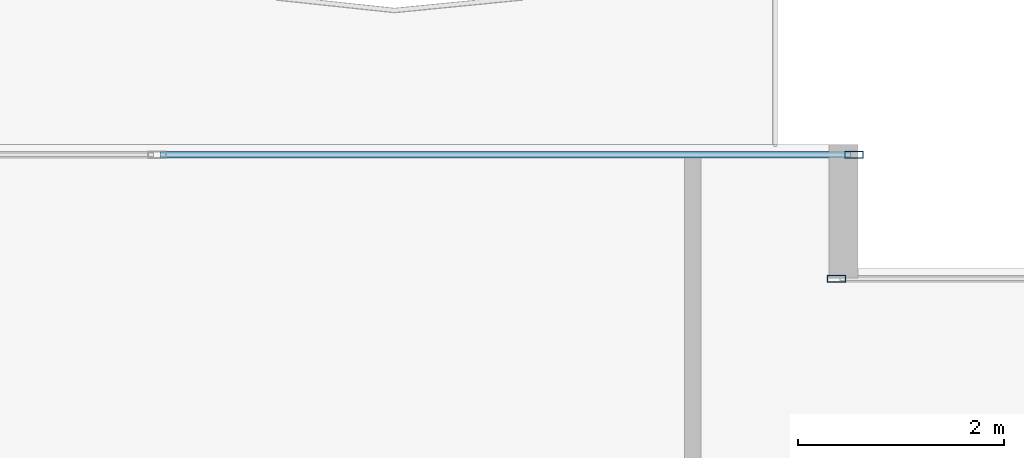
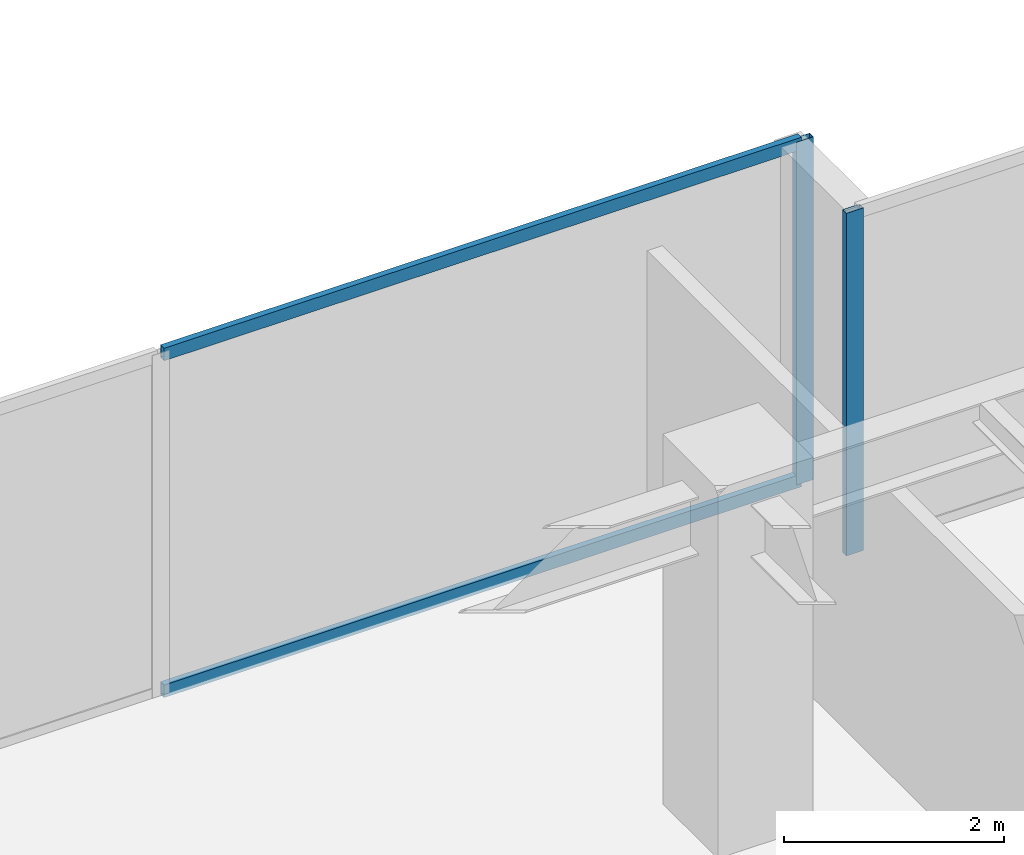
# One storey, part 17 of 34: 4 members, 2 elements without a shape of their own.
"""IFC4 building model written with IfcOpenShell, lengths in metres."""

from ifc_helpers import new_model, si_unit, direction, frame, origin, origin_2d, place, context, subcontext, project, spatial, hollow_rectangle, extrude, source, transform, mapped, material, layer, layer_set, material_profile, profile_set, type_object, type_shapes, element, aggregate, save


model = new_model("IFC4")

# Units and contexts
model_context = context("Model", 3, precision=1e-05, world=origin(), true_north=direction((0.0, 1.0)))
body_context = subcontext(model_context, "Body", "Model", "MODEL_VIEW")
ifc_project = project(units=[si_unit("LENGTHUNIT", "METRE"), si_unit("AREAUNIT", "SQUARE_METRE"), si_unit("VOLUMEUNIT", "CUBIC_METRE"), si_unit("PLANEANGLEUNIT", "RADIAN"), si_unit("MASSUNIT", "GRAM", prefix="KILO")], contexts=[model_context])

# Site, building, storey
site_placement = place(None, origin())
site = spatial("IfcSite", under=ifc_project, at=site_placement, CompositionType="ELEMENT")
building_placement = place(site_placement, origin())
building = spatial("IfcBuilding", under=site, at=building_placement, Name="Haelvirn Gate Laboratories", CompositionType="ELEMENT")
storey_placement = place(building_placement, frame((0.0, 0.0, 205.5)))
storey = spatial("IfcBuildingStorey", under=building, at=storey_placement, Name="L49", CompositionType="ELEMENT", Elevation=205.5)

# Curtain wall, member
ifc_material_1 = material(Name="Anodised bronze unitised aluminium & triple low-E glass", Category="aluminium")
ifc_layer = layer(ifc_material_1, 0.176025390625, Name="CW-SYS-4")
ifc_layer_set = layer_set([ifc_layer], Name="Anodised bronze unitised aluminium & triple low-E glass")
curtain_wall_type = type_object("IfcCurtainWallType", Name="CW-SYS-4", PredefinedType="NOTDEFINED", material=ifc_layer_set)
curtain_wall_1_placement = place(storey_placement, origin())
curtain_wall_1 = element("IfcCurtainWall", 1, at=curtain_wall_1_placement, inside=storey, type_object=curtain_wall_type, Name="L49 Unitised Curtain Wall CW-L49-P0-E12-1", PredefinedType="NOTDEFINED")
ifc_material_2 = material(Name="Extruded aluminium 6063-T6 (anodised bronze)", Category="aluminium")
ifc_material_profile_1 = material_profile(ifc_material_2, hollow_rectangle(XDim=0.070068359375, YDim=0.179931640625, WallThickness=0.0048828125, at=origin_2d()), Name="CWM-180x70x5")
ifc_profile_set_1 = profile_set([ifc_material_profile_1], Name="Extruded aluminium 6063-T6 (anodised bronze)")
member_type_1 = type_object("IfcMemberType", Name="CWM-T180", PredefinedType="MULLION", material=ifc_profile_set_1)
shared_shape_1 = source(origin(), body_context, "Body", "SweptSolid", [
    extrude(hollow_rectangle(XDim=0.070068359375, YDim=0.179931640625, WallThickness=0.0048828125, at=origin_2d()), origin(), (0.0, 0.0, 1.0), 3.800048828125),
])
type_shapes(member_type_1, [shared_shape_1])
member_1_placement = place(storey_placement, frame((25.195068359375, 44.699951171875, 0.0), z_axis=(0.0, 0.0, 1.0), x_axis=(0.0, 1.0, 0.0)))
member_1 = element("IfcMember", 2, at=member_1_placement, type_object=member_type_1, Name="CW4 mullion 1", PredefinedType="MULLION", context=body_context, shape_type="MappedRepresentation", body=[
    mapped(shared_shape_1, transform((0.0, 0.0, 0.0), scale=1.0)),
])
aggregate(curtain_wall_1, [member_1])

# Curtain wall, members
curtain_wall_2_placement = place(storey_placement, origin())
curtain_wall_2 = element("IfcCurtainWall", 3, at=curtain_wall_2_placement, inside=storey, type_object=curtain_wall_type, Name="L49 Unitised Curtain Wall CW-L49-P0-E14-2", PredefinedType="NOTDEFINED")
member_2_placement = place(storey_placement, frame((25.364990234375, 45.89990234375, 0.0), z_axis=(0.0, 0.0, 1.0), x_axis=(0.0, 1.0, 0.0)))
member_2 = element("IfcMember", 4, at=member_2_placement, type_object=member_type_1, Name="CW4 mullion 3", PredefinedType="MULLION", context=body_context, shape_type="MappedRepresentation", body=[
    mapped(shared_shape_1, transform((0.0, 0.0, 0.0), scale=1.0)),
])
ifc_material_profile_2 = material_profile(ifc_material_2, hollow_rectangle(XDim=0.06494140625, YDim=0.139892578125, WallThickness=0.00390625, at=origin_2d()), Name="CWT-140x65x4")
ifc_profile_set_2 = profile_set([ifc_material_profile_2], Name="Extruded aluminium 6063-T6 (anodised bronze)")
member_type_2 = type_object("IfcMemberType", Name="CWT-T140", PredefinedType="USERDEFINED", material=ifc_profile_set_2)
shared_shape_2 = source(origin(), body_context, "Body", "SweptSolid", [
    extrude(hollow_rectangle(XDim=0.06494140625, YDim=0.139892578125, WallThickness=0.00390625, at=origin_2d()), origin(), (0.0, 0.0, 1.0), 6.68505859375),
])
type_shapes(member_type_2, [shared_shape_2])
member_3_placement = place(storey_placement, frame((18.64501953125, 45.89990234375, 0.032470703125), z_axis=(1.0, 0.0, 0.0), x_axis=(0.0, 1.0, 0.0)))
member_3 = element("IfcMember", 5, at=member_3_placement, type_object=member_type_2, Name="CW4 transom 2.1", ObjectType="TRANSOM", PredefinedType="USERDEFINED", context=body_context, shape_type="MappedRepresentation", body=[
    mapped(shared_shape_2, transform((0.0, 0.0, 0.0), scale=1.0)),
])
member_4_placement = place(storey_placement, frame((18.64501953125, 45.89990234375, 3.767578125), z_axis=(1.0, 0.0, 0.0), x_axis=(0.0, 1.0, 0.0)))
member_4 = element("IfcMember", 6, at=member_4_placement, type_object=member_type_2, Name="CW4 transom 2.2", ObjectType="TRANSOM", PredefinedType="USERDEFINED", context=body_context, shape_type="MappedRepresentation", body=[
    mapped(shared_shape_2, transform((0.0, 0.0, 0.0), scale=1.0)),
])
aggregate(curtain_wall_2, [member_2, member_3, member_4])

save(model, "model.ifc")
